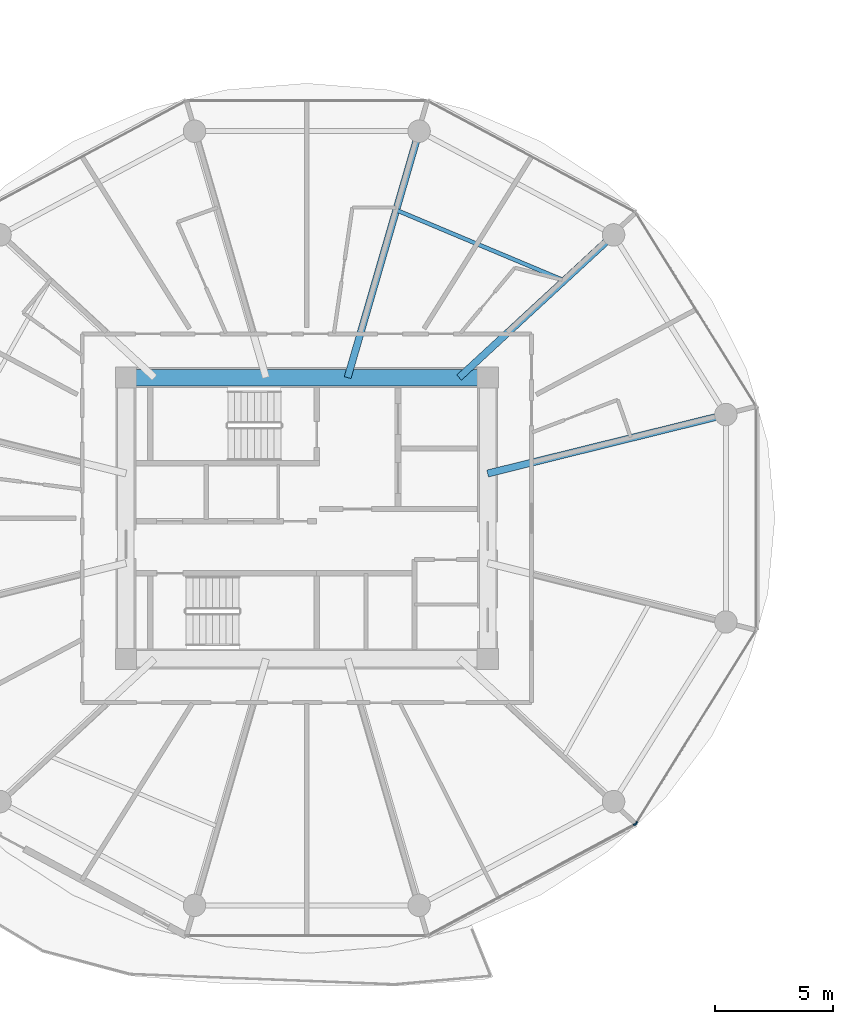
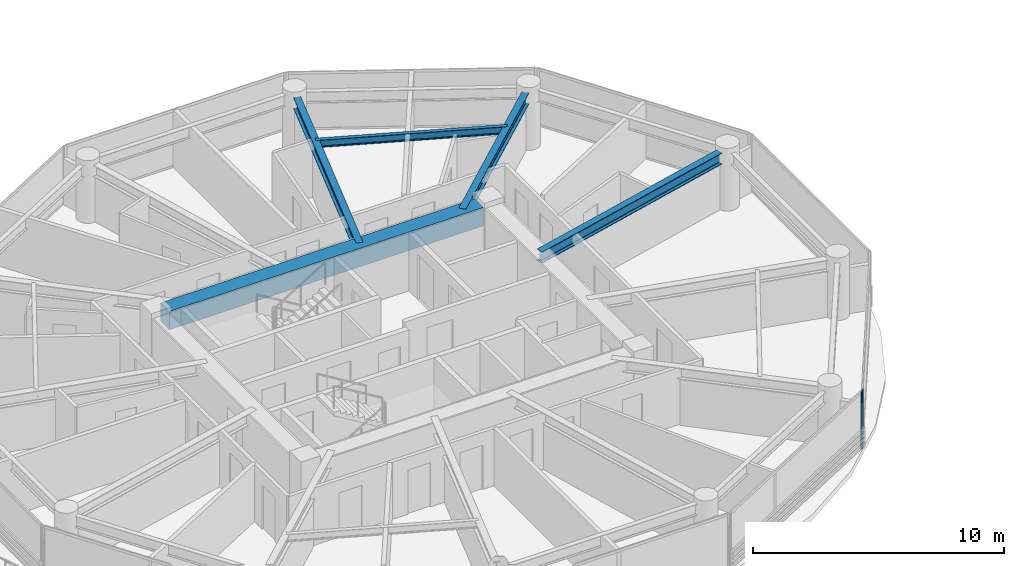
# One storey, part 5 of 28: 5 beams, 2 members, 2 elements without a shape of their own.
"""IFC4 building model written with IfcOpenShell, lengths in metres."""

from ifc_helpers import new_model, si_unit, direction, frame, origin, origin_2d, place, context, subcontext, project, spatial, rectangle, i_section, extrude, source, transform, mapped, material, layer, layer_set, material_profile, profile_set, type_object, type_shapes, element, aggregate, save


model = new_model("IFC4")

# Units and contexts
model_context = context("Model", 3, precision=1e-05, world=origin(), true_north=direction((0.0, 1.0)))
body_context = subcontext(model_context, "Body", "Model", "MODEL_VIEW")
ifc_project = project(units=[si_unit("LENGTHUNIT", "METRE"), si_unit("AREAUNIT", "SQUARE_METRE"), si_unit("VOLUMEUNIT", "CUBIC_METRE"), si_unit("PLANEANGLEUNIT", "RADIAN"), si_unit("MASSUNIT", "GRAM", prefix="KILO")], contexts=[model_context])

# Site, building, storey
site_placement = place(None, origin())
site = spatial("IfcSite", under=ifc_project, at=site_placement, CompositionType="ELEMENT")
building_placement = place(site_placement, origin())
building = spatial("IfcBuilding", under=site, at=building_placement, Name="Norrkilde Senior Care Towers", CompositionType="ELEMENT")
storey_placement = place(building_placement, frame((0.0, 0.0, 39.89990234375)))
storey = spatial("IfcBuildingStorey", under=building, at=storey_placement, Name="L11", CompositionType="ELEMENT", Elevation=39.89990234375)

# Beams
ifc_material_1 = material(Name="Concrete C60/75", Category="concrete")
ifc_material_profile_1 = material_profile(ifc_material_1, rectangle(XDim=0.699951171875, YDim=0.89990234375, at=origin_2d()), Name="RC BM 700x900")
ifc_profile_set_1 = profile_set([ifc_material_profile_1], Name="Concrete C60/75")
beam_type_1 = type_object("IfcBeamType", Name="Core Coupling Girder 700x900", PredefinedType="USERDEFINED", material=ifc_profile_set_1)
shared_shape_1 = source(origin(), body_context, "Body", "SweptSolid", [
    extrude(rectangle(XDim=0.699951171875, YDim=0.89990234375, at=origin_2d()), origin(), (0.0, 0.0, 1.0), 14.43994140625),
])
type_shapes(beam_type_1, [shared_shape_1])
beam_1_placement = place(storey_placement, frame((-35.219970703125, 5.949951171875, 2.340087890625), z_axis=(1.0, 0.0, 0.0), x_axis=(0.0, 1.0, 0.0)))
element("IfcBeam", 1, at=beam_1_placement, inside=storey, type_object=beam_type_1, Name="L11 Core W N Coupling Girder", ObjectType="GIRDER", PredefinedType="USERDEFINED", context=body_context, shape_type="MappedRepresentation", body=[
    mapped(shared_shape_1, transform((0.0, 0.0, 0.0), x_axis=(1.0, 0.0, 0.0), y_axis=(0.0, 1.0, 0.0), z_axis=(0.0, 0.0, 1.0), scale=1.0)),
])
ifc_material_2 = material(Name="Steel S355", Category="steel")
ifc_material_profile_2 = material_profile(ifc_material_2, i_section(OverallWidth=0.300048828125, OverallDepth=0.550048828125, WebThickness=0.014892578125, FlangeThickness=0.029052734375, FilletRadius=0.027099609375, at=origin_2d()), Name="HEB 550")
ifc_profile_set_2 = profile_set([ifc_material_profile_2], Name="Steel S355")
beam_type_2 = type_object("IfcBeamType", Name="Radial Floor Beam Z1 HEB550", PredefinedType="BEAM", material=ifc_profile_set_2)
shared_shape_2 = source(origin(), body_context, "Body", "SweptSolid", [
    extrude(i_section(OverallWidth=0.300048828125, OverallDepth=0.550048828125, WebThickness=0.014892578125, FlangeThickness=0.029052734375, FilletRadius=0.027099609375, at=origin_2d()), origin(), (0.0, 0.0, 1.0), 9.94384765625),
])
beam_2_placement = place(storey_placement, frame((-20.35009765625, 1.893310546875, 2.51513671875), z_axis=(0.970707425182, 0.240264634718, 0.0), x_axis=(-0.240264634718, 0.970707425182, 0.0)))
element("IfcBeam", 2, at=beam_2_placement, inside=storey, type_object=beam_type_2, Name="L11 Drum W Radial Floor Beam 01", PredefinedType="BEAM", context=body_context, shape_type="MappedRepresentation", body=[
    mapped(shared_shape_2, transform((0.0, 0.0, 0.0), x_axis=(1.0, 0.0, 0.0), y_axis=(0.0, 1.0, 0.0), z_axis=(0.0, 0.0, 1.0), scale=1.0)),
])
shared_shape_3 = source(origin(), body_context, "Body", "SweptSolid", [
    extrude(i_section(OverallWidth=0.300048828125, OverallDepth=0.550048828125, WebThickness=0.014892578125, FlangeThickness=0.029052734375, FilletRadius=0.027099609375, at=origin_2d()), origin(), (0.0, 0.0, 1.0), 8.459716796875),
])
beam_3_placement = place(storey_placement, frame((-21.55859375, 5.949951171875, 2.51513671875), z_axis=(0.734573269108, 0.678529374686, 0.0), x_axis=(-0.678529374686, 0.734573269108, 0.0)))
element("IfcBeam", 3, at=beam_3_placement, inside=storey, type_object=beam_type_2, Name="L11 Drum W Radial Floor Beam 02", PredefinedType="BEAM", context=body_context, shape_type="MappedRepresentation", body=[
    mapped(shared_shape_3, transform((0.0, 0.0, 0.0), x_axis=(1.0, 0.0, 0.0), y_axis=(0.0, 1.0, 0.0), z_axis=(0.0, 0.0, 1.0), scale=1.0)),
])
shared_shape_4 = source(origin(), body_context, "Body", "SweptSolid", [
    extrude(i_section(OverallWidth=0.300048828125, OverallDepth=0.550048828125, WebThickness=0.014892578125, FlangeThickness=0.029052734375, FilletRadius=0.027099609375, at=origin_2d()), origin(), (0.0, 0.0, 1.0), 10.4169921875),
])
type_shapes(beam_type_2, [shared_shape_2, shared_shape_3, shared_shape_4])
beam_4_placement = place(storey_placement, frame((-26.27392578125, 5.949951171875, 2.51513671875), z_axis=(0.278591250785, 0.960409764104, 0.0), x_axis=(-0.960409764104, 0.278591250785, 0.0)))
element("IfcBeam", 4, at=beam_4_placement, inside=storey, type_object=beam_type_2, Name="L11 Drum W Radial Floor Beam 03", PredefinedType="BEAM", context=body_context, shape_type="MappedRepresentation", body=[
    mapped(shared_shape_4, transform((0.0, 0.0, 0.0), x_axis=(1.0, 0.0, 0.0), y_axis=(0.0, 1.0, 0.0), z_axis=(0.0, 0.0, 1.0), scale=1.0)),
])
ifc_material_profile_3 = material_profile(ifc_material_2, i_section(OverallWidth=0.169921875, OverallDepth=0.360107421875, WebThickness=0.008056640625, FlangeThickness=0.0126953125, FilletRadius=0.01806640625, at=origin_2d()), Name="IPE 360")
ifc_profile_set_3 = profile_set([ifc_material_profile_3], Name="Steel S355")
beam_type_3 = type_object("IfcBeamType", Name="Secondary Floor Joist IPE360", PredefinedType="JOIST", material=ifc_profile_set_3)
shared_shape_5 = source(origin(), body_context, "Body", "SweptSolid", [
    extrude(i_section(OverallWidth=0.169921875, OverallDepth=0.360107421875, WebThickness=0.008056640625, FlangeThickness=0.0126953125, FilletRadius=0.01806640625, at=origin_2d()), origin(), (0.0, 0.0, 1.0), 7.703857421875),
])
type_shapes(beam_type_3, [shared_shape_5])
beam_5_placement = place(storey_placement, frame((-17.115478515625, 10.05419921875, 2.610107421875), z_axis=(-0.921982784465, 0.387230868023, 0.0), x_axis=(-0.387230868023, -0.921982784465, 0.0)))
element("IfcBeam", 5, at=beam_5_placement, inside=storey, type_object=beam_type_3, Name="L11 Drum W Secondary Floor Joist 1", PredefinedType="JOIST", context=body_context, shape_type="MappedRepresentation", body=[
    mapped(shared_shape_5, transform((0.0, 0.0, 0.0), x_axis=(1.0, 0.0, 0.0), y_axis=(0.0, 1.0, 0.0), z_axis=(0.0, 0.0, 1.0), scale=1.0)),
])

# Curtain wall, member
ifc_material_3 = material(Name="Triple Low-E Insulated Glazing", Category="glass")
ifc_layer = layer(ifc_material_3, 0.199951171875)
ifc_layer_set = layer_set([ifc_layer], Name="Triple Low-E Insulated Glazing")
curtain_wall_type = type_object("IfcCurtainWallType", Name="CW2 Zone 1 Memory Care Curtain Wall", PredefinedType="NOTDEFINED", material=ifc_layer_set)
curtain_wall_1_placement = place(storey_placement, origin())
curtain_wall_1 = element("IfcCurtainWall", 6, at=curtain_wall_1_placement, inside=storey, type_object=curtain_wall_type, Name="L11 Drum W Curtain Wall 09", PredefinedType="NOTDEFINED")
ifc_material_4 = material(Name="Anodised Aluminium", Category="aluminium")
ifc_material_profile_4 = material_profile(ifc_material_4, rectangle(XDim=0.06494140625, YDim=0.159912109375, at=origin_2d()), Name="ALU MULL 65x160")
ifc_profile_set_4 = profile_set([ifc_material_profile_4], Name="Anodised Aluminium")
member_type = type_object("IfcMemberType", Name="Curtain Wall Mullion Z1-Z2 65x160", PredefinedType="MULLION", material=ifc_profile_set_4)
shared_shape_6 = source(origin(), body_context, "Body", "SweptSolid", [
    extrude(rectangle(XDim=0.06494140625, YDim=0.159912109375, at=origin_2d()), origin(), (0.0, 0.0, 1.0), 2.7900390625),
])
type_shapes(member_type, [shared_shape_6])
member_1_placement = place(storey_placement, frame((-14.11279296875, -12.941162109375, 0.0), z_axis=(0.0, 0.0, 1.0), x_axis=(0.472607802456, -0.881272866403, 0.0)))
member_1 = element("IfcMember", 7, at=member_1_placement, type_object=member_type, Name="CW-2 mullion 1", PredefinedType="MULLION", context=body_context, shape_type="MappedRepresentation", body=[
    mapped(shared_shape_6, transform((0.0, 0.0, 0.0), x_axis=(1.0, 0.0, 0.0), y_axis=(0.0, 1.0, 0.0), z_axis=(0.0, 0.0, 1.0), scale=1.0)),
])
aggregate(curtain_wall_1, [member_1])

curtain_wall_2_placement = place(storey_placement, origin())
curtain_wall_2 = element("IfcCurtainWall", 8, at=curtain_wall_2_placement, inside=storey, type_object=curtain_wall_type, Name="L11 Drum W Curtain Wall 10", PredefinedType="NOTDEFINED")
member_2_placement = place(storey_placement, frame((-14.06689453125, -12.898193359375, 0.0), z_axis=(0.0, 0.0, 1.0), x_axis=(0.849305943117, -0.527900951871, 0.0)))
member_2 = element("IfcMember", 9, at=member_2_placement, type_object=member_type, Name="CW-2 mullion 2", PredefinedType="MULLION", context=body_context, shape_type="MappedRepresentation", body=[
    mapped(shared_shape_6, transform((0.0, 0.0, 0.0), x_axis=(1.0, 0.0, 0.0), y_axis=(0.0, 1.0, 0.0), z_axis=(0.0, 0.0, 1.0), scale=1.0)),
])
aggregate(curtain_wall_2, [member_2])

save(model, "model.ifc")
